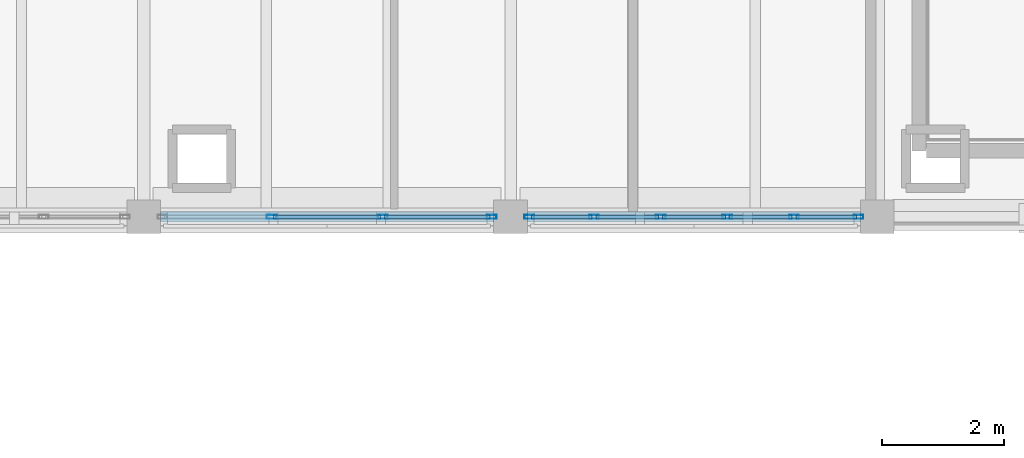
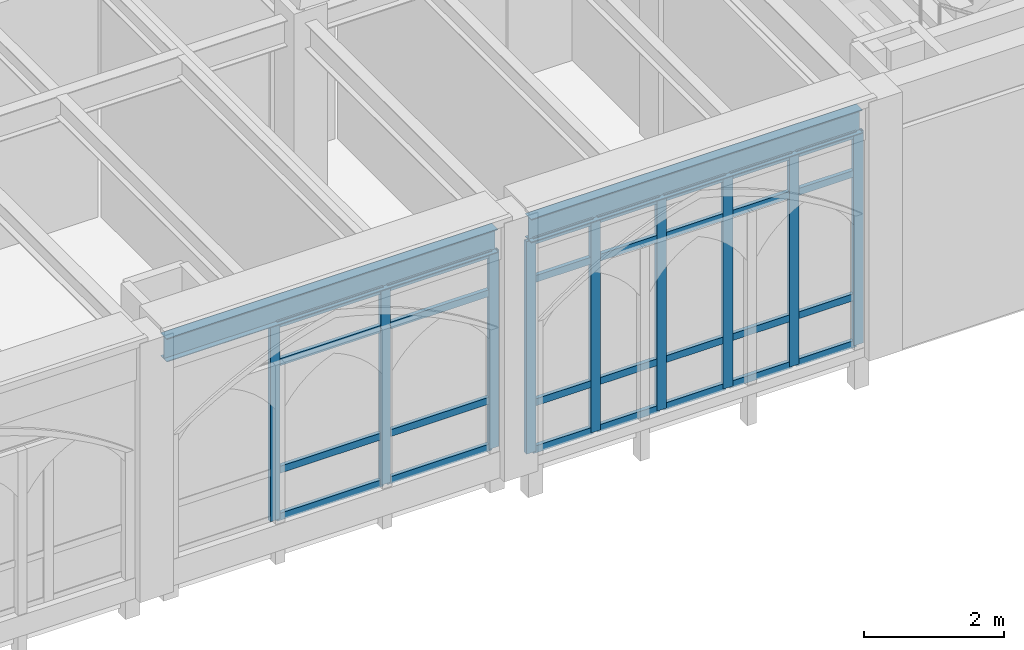
# One storey, part 22 of 108: 37 members, 2 beams, 2 elements without a shape of their own.
"""IFC4 building model written with IfcOpenShell, lengths in metres."""

from ifc_helpers import new_model, si_unit, direction, frame, origin, origin_2d, place, context, subcontext, project, spatial, hollow_rectangle, i_section, extrude, material, layer, layer_set, material_profile, profile_set, type_object, element, aggregate, save


model = new_model("IFC4")

# Units and contexts
model_context = context("Model", 3, precision=1e-05, world=origin(), true_north=direction((0.0, 1.0)))
body_context = subcontext(model_context, "Body", "Model", "MODEL_VIEW")
ifc_project = project(units=[si_unit("LENGTHUNIT", "METRE"), si_unit("AREAUNIT", "SQUARE_METRE"), si_unit("VOLUMEUNIT", "CUBIC_METRE"), si_unit("PLANEANGLEUNIT", "RADIAN"), si_unit("MASSUNIT", "GRAM", prefix="KILO")], contexts=[model_context])

# Site, building, storey
site_placement = place(None, origin())
site = spatial("IfcSite", under=ifc_project, at=site_placement, CompositionType="ELEMENT")
building_placement = place(site_placement, origin())
building = spatial("IfcBuilding", under=site, at=building_placement, Name="Cumevento Cable Car Station", CompositionType="ELEMENT")
storey_placement = place(building_placement, frame((0.0, 0.0, 13.5)))
storey = spatial("IfcBuildingStorey", under=building, at=storey_placement, Name="L04", CompositionType="ELEMENT", Elevation=13.5)

# Curtain wall, members
ifc_material_1 = material(Name="Anodised Bronze Aluminium AW-6063-T6", Category="aluminium")
ifc_layer_1 = layer(ifc_material_1, 0.243896484375)
ifc_layer_set_1 = layer_set([ifc_layer_1], Name="Anodised Bronze Aluminium AW-6063-T6")
curtain_wall_type_1 = type_object("IfcCurtainWallType", Name="Lancet Curtain Wall CW-15 1610", PredefinedType="NOTDEFINED", material=ifc_layer_set_1)
curtain_wall_1_placement = place(storey_placement, origin())
curtain_wall_1 = element("IfcCurtainWall", 1, at=curtain_wall_1_placement, inside=storey, type_object=curtain_wall_type_1, Name="Lancet Curtain Wall CW-15 L04 #158", PredefinedType="NOTDEFINED")
ifc_material_2 = material(Name="Anodised Bronze Aluminium AW-6063-T6", Category="aluminium")
ifc_material_profile_1 = material_profile(ifc_material_2, hollow_rectangle(XDim=0.06494140625, YDim=0.159912109375, WallThickness=0.00390625, at=origin_2d()), Name="ALUM65x160x4")
ifc_profile_set_1 = profile_set([ifc_material_profile_1], Name="Anodised Bronze Aluminium AW-6063-T6")
member_type_1 = type_object("IfcMemberType", Name="Curtain Mullion CWM-01 ALUM65x160x4", PredefinedType="MULLION", material=ifc_profile_set_1)
member_1_placement = place(storey_placement, frame((45.6923828125, 45.0, 0.4599609375), z_axis=(0.0, 0.0, 1.0), x_axis=(0.0, -1.0, 0.0)))
member_1 = element("IfcMember", 2, at=member_1_placement, type_object=member_type_1, Name="CW-15 mullion 1", PredefinedType="MULLION", context=body_context, shape_type="SweptSolid", body=[
    extrude(hollow_rectangle(XDim=0.06494140625, YDim=0.159912109375, WallThickness=0.00390625, at=origin_2d()), origin(), (0.0, 0.0, 1.0), 3.421142578125),
])
member_2_placement = place(storey_placement, frame((43.908447265625, 45.0, 0.4599609375), z_axis=(0.0, 0.0, 1.0), x_axis=(0.0, -1.0, 0.0)))
member_2 = element("IfcMember", 3, at=member_2_placement, type_object=member_type_1, Name="CW-15 mullion 2", PredefinedType="MULLION", context=body_context, shape_type="SweptSolid", body=[
    extrude(hollow_rectangle(XDim=0.06494140625, YDim=0.159912109375, WallThickness=0.00390625, at=origin_2d()), origin(), (0.0, 0.0, 1.0), 3.421142578125),
])
member_3_placement = place(storey_placement, frame((42.091552734375, 45.0, 0.4599609375), z_axis=(0.0, 0.0, 1.0), x_axis=(0.0, -1.0, 0.0)))
member_3 = element("IfcMember", 4, at=member_3_placement, type_object=member_type_1, Name="CW-15 mullion 3", PredefinedType="MULLION", context=body_context, shape_type="SweptSolid", body=[
    extrude(hollow_rectangle(XDim=0.06494140625, YDim=0.159912109375, WallThickness=0.00390625, at=origin_2d()), origin(), (0.0, 0.0, 1.0), 3.421142578125),
])

ifc_material_3 = material(Name="Anodised Bronze Aluminium AW-6063-T6", Category="aluminium")
ifc_layer_2 = layer(ifc_material_3, 0.159912109375)
ifc_layer_set_2 = layer_set([ifc_layer_2], Name="Anodised Bronze Aluminium AW-6063-T6")
curtain_wall_type_2 = type_object("IfcCurtainWallType", Name="Lancet Curtain Wall CW-01 1050", PredefinedType="NOTDEFINED", material=ifc_layer_set_2)
curtain_wall_2_placement = place(storey_placement, origin())
curtain_wall_2 = element("IfcCurtainWall", 5, at=curtain_wall_2_placement, inside=storey, type_object=curtain_wall_type_2, Name="Lancet Curtain Wall CW-01 L04 #160", PredefinedType="NOTDEFINED")
member_4_placement = place(storey_placement, frame((51.6923828125, 45.0, 0.159912109375), z_axis=(0.0, 0.0, 1.0), x_axis=(0.0, -1.0, 0.0)))
member_4 = element("IfcMember", 6, at=member_4_placement, type_object=member_type_1, Name="CW-01 mullion 1", PredefinedType="MULLION", context=body_context, shape_type="SweptSolid", body=[
    extrude(hollow_rectangle(XDim=0.06494140625, YDim=0.159912109375, WallThickness=0.00390625, at=origin_2d()), origin(), (0.0, 0.0, 1.0), 3.697021484375),
])
member_5_placement = place(storey_placement, frame((50.635009765625, 45.0, 0.159912109375), z_axis=(0.0, 0.0, 1.0), x_axis=(0.0, -1.0, 0.0)))
member_5 = element("IfcMember", 7, at=member_5_placement, type_object=member_type_1, Name="CW-01 mullion 2", PredefinedType="MULLION", context=body_context, shape_type="SweptSolid", body=[
    extrude(hollow_rectangle(XDim=0.06494140625, YDim=0.159912109375, WallThickness=0.00390625, at=origin_2d()), origin(), (0.0, 0.0, 1.0), 3.697021484375),
])
member_6_placement = place(storey_placement, frame((49.544921875, 45.0, 0.159912109375), z_axis=(0.0, 0.0, 1.0), x_axis=(0.0, -1.0, 0.0)))
member_6 = element("IfcMember", 8, at=member_6_placement, type_object=member_type_1, Name="CW-01 mullion 3", PredefinedType="MULLION", context=body_context, shape_type="SweptSolid", body=[
    extrude(hollow_rectangle(XDim=0.06494140625, YDim=0.159912109375, WallThickness=0.00390625, at=origin_2d()), origin(), (0.0, 0.0, 1.0), 3.697021484375),
])
member_7_placement = place(storey_placement, frame((48.455078125, 45.0, 0.159912109375), z_axis=(0.0, 0.0, 1.0), x_axis=(0.0, -1.0, 0.0)))
member_7 = element("IfcMember", 9, at=member_7_placement, type_object=member_type_1, Name="CW-01 mullion 4", PredefinedType="MULLION", context=body_context, shape_type="SweptSolid", body=[
    extrude(hollow_rectangle(XDim=0.06494140625, YDim=0.159912109375, WallThickness=0.00390625, at=origin_2d()), origin(), (0.0, 0.0, 1.0), 3.697021484375),
])
member_8_placement = place(storey_placement, frame((47.364990234375, 45.0, 0.159912109375), z_axis=(0.0, 0.0, 1.0), x_axis=(0.0, -1.0, 0.0)))
member_8 = element("IfcMember", 10, at=member_8_placement, type_object=member_type_1, Name="CW-01 mullion 5", PredefinedType="MULLION", context=body_context, shape_type="SweptSolid", body=[
    extrude(hollow_rectangle(XDim=0.06494140625, YDim=0.159912109375, WallThickness=0.00390625, at=origin_2d()), origin(), (0.0, 0.0, 1.0), 3.697021484375),
])
member_9_placement = place(storey_placement, frame((46.3076171875, 45.0, 0.159912109375), z_axis=(0.0, 0.0, 1.0), x_axis=(0.0, -1.0, 0.0)))
member_9 = element("IfcMember", 11, at=member_9_placement, type_object=member_type_1, Name="CW-01 mullion 6", PredefinedType="MULLION", context=body_context, shape_type="SweptSolid", body=[
    extrude(hollow_rectangle(XDim=0.06494140625, YDim=0.159912109375, WallThickness=0.00390625, at=origin_2d()), origin(), (0.0, 0.0, 1.0), 3.697021484375),
])

# Member
ifc_material_4 = material(Name="Anodised Bronze Aluminium AW-6063-T6", Category="aluminium")
ifc_material_profile_2 = material_profile(ifc_material_4, hollow_rectangle(XDim=0.06494140625, YDim=0.1201171875, WallThickness=0.00390625, at=origin_2d()), Name="ALUT65x120x4")
ifc_profile_set_2 = profile_set([ifc_material_profile_2], Name="Anodised Bronze Aluminium AW-6063-T6")
member_type_2 = type_object("IfcMemberType", Name="Curtain Transom CWT-01 ALUT65x120x4", PredefinedType="USERDEFINED", material=ifc_profile_set_2)
member_10_placement = place(storey_placement, frame((45.659912109375, 45.0, 0.492431640625), z_axis=(-1.0, 0.0, 0.0), x_axis=(0.0, -1.0, 0.0)))
member_10 = element("IfcMember", 12, at=member_10_placement, type_object=member_type_2, Name="CW-15 transom 1.1", ObjectType="TRANSOM", PredefinedType="USERDEFINED", context=body_context, shape_type="SweptSolid", body=[
    extrude(hollow_rectangle(XDim=0.06494140625, YDim=0.1201171875, WallThickness=0.00390625, at=origin_2d()), origin(), (0.0, 0.0, 1.0), 1.718994140625),
])

member_11_placement = place(storey_placement, frame((45.659912109375, 45.0, 1.31005859375), z_axis=(-1.0, 0.0, 0.0), x_axis=(0.0, -1.0, 0.0)))
member_11 = element("IfcMember", 13, at=member_11_placement, type_object=member_type_2, Name="CW-15 transom 1.2", ObjectType="TRANSOM", PredefinedType="USERDEFINED", context=body_context, shape_type="SweptSolid", body=[
    extrude(hollow_rectangle(XDim=0.06494140625, YDim=0.1201171875, WallThickness=0.00390625, at=origin_2d()), origin(), (0.0, 0.0, 1.0), 1.718994140625),
])

member_12_placement = place(storey_placement, frame((45.659912109375, 45.0, 3.180908203125), z_axis=(-1.0, 0.0, 0.0), x_axis=(0.0, -1.0, 0.0)))
member_12 = element("IfcMember", 14, at=member_12_placement, type_object=member_type_2, Name="CW-15 transom 1.3", ObjectType="TRANSOM", PredefinedType="USERDEFINED", context=body_context, shape_type="SweptSolid", body=[
    extrude(hollow_rectangle(XDim=0.06494140625, YDim=0.1201171875, WallThickness=0.00390625, at=origin_2d()), origin(), (0.0, 0.0, 1.0), 1.718994140625),
])

member_13_placement = place(storey_placement, frame((45.659912109375, 45.0, 3.848388671875), z_axis=(-1.0, 0.0, 0.0), x_axis=(0.0, -1.0, 0.0)))
member_13 = element("IfcMember", 15, at=member_13_placement, type_object=member_type_2, Name="CW-15 transom 1.4", ObjectType="TRANSOM", PredefinedType="USERDEFINED", context=body_context, shape_type="SweptSolid", body=[
    extrude(hollow_rectangle(XDim=0.06494140625, YDim=0.1201171875, WallThickness=0.00390625, at=origin_2d()), origin(), (0.0, 0.0, 1.0), 1.718994140625),
])

member_14_placement = place(storey_placement, frame((43.875732421875, 45.0, 0.492431640625), z_axis=(-1.0, 0.0, 0.0), x_axis=(0.0, -1.0, 0.0)))
member_14 = element("IfcMember", 16, at=member_14_placement, type_object=member_type_2, Name="CW-15 transom 2.1", ObjectType="TRANSOM", PredefinedType="USERDEFINED", context=body_context, shape_type="SweptSolid", body=[
    extrude(hollow_rectangle(XDim=0.06494140625, YDim=0.1201171875, WallThickness=0.00390625, at=origin_2d()), origin(), (0.0, 0.0, 1.0), 1.75146484375),
])

member_15_placement = place(storey_placement, frame((43.875732421875, 45.0, 1.31005859375), z_axis=(-1.0, 0.0, 0.0), x_axis=(0.0, -1.0, 0.0)))
member_15 = element("IfcMember", 17, at=member_15_placement, type_object=member_type_2, Name="CW-15 transom 2.2", ObjectType="TRANSOM", PredefinedType="USERDEFINED", context=body_context, shape_type="SweptSolid", body=[
    extrude(hollow_rectangle(XDim=0.06494140625, YDim=0.1201171875, WallThickness=0.00390625, at=origin_2d()), origin(), (0.0, 0.0, 1.0), 1.75146484375),
])

member_16_placement = place(storey_placement, frame((43.875732421875, 45.0, 3.180908203125), z_axis=(-1.0, 0.0, 0.0), x_axis=(0.0, -1.0, 0.0)))
member_16 = element("IfcMember", 18, at=member_16_placement, type_object=member_type_2, Name="CW-15 transom 2.3", ObjectType="TRANSOM", PredefinedType="USERDEFINED", context=body_context, shape_type="SweptSolid", body=[
    extrude(hollow_rectangle(XDim=0.06494140625, YDim=0.1201171875, WallThickness=0.00390625, at=origin_2d()), origin(), (0.0, 0.0, 1.0), 1.75146484375),
])

member_17_placement = place(storey_placement, frame((43.875732421875, 45.0, 3.848388671875), z_axis=(-1.0, 0.0, 0.0), x_axis=(0.0, -1.0, 0.0)))
member_17 = element("IfcMember", 19, at=member_17_placement, type_object=member_type_2, Name="CW-15 transom 2.4", ObjectType="TRANSOM", PredefinedType="USERDEFINED", context=body_context, shape_type="SweptSolid", body=[
    extrude(hollow_rectangle(XDim=0.06494140625, YDim=0.1201171875, WallThickness=0.00390625, at=origin_2d()), origin(), (0.0, 0.0, 1.0), 1.75146484375),
])

aggregate(curtain_wall_1, [member_1, member_2, member_3, member_10, member_11, member_12, member_13, member_14, member_15, member_16, member_17])

member_18_placement = place(storey_placement, frame((51.659912109375, 45.0, 0.1923828125), z_axis=(-1.0, 0.0, 0.0), x_axis=(0.0, -1.0, 0.0)))
member_18 = element("IfcMember", 20, at=member_18_placement, type_object=member_type_2, Name="CW-01 transom 1.1", ObjectType="TRANSOM", PredefinedType="USERDEFINED", context=body_context, shape_type="SweptSolid", body=[
    extrude(hollow_rectangle(XDim=0.06494140625, YDim=0.1201171875, WallThickness=0.00390625, at=origin_2d()), origin(), (0.0, 0.0, 1.0), 0.992431640625),
])

member_19_placement = place(storey_placement, frame((51.659912109375, 45.0, 1.010009765625), z_axis=(-1.0, 0.0, 0.0), x_axis=(0.0, -1.0, 0.0)))
member_19 = element("IfcMember", 21, at=member_19_placement, type_object=member_type_2, Name="CW-01 transom 1.2", ObjectType="TRANSOM", PredefinedType="USERDEFINED", context=body_context, shape_type="SweptSolid", body=[
    extrude(hollow_rectangle(XDim=0.06494140625, YDim=0.1201171875, WallThickness=0.00390625, at=origin_2d()), origin(), (0.0, 0.0, 1.0), 0.992431640625),
])

member_20_placement = place(storey_placement, frame((51.659912109375, 45.0, 3.156982421875), z_axis=(-1.0, 0.0, 0.0), x_axis=(0.0, -1.0, 0.0)))
member_20 = element("IfcMember", 22, at=member_20_placement, type_object=member_type_2, Name="CW-01 transom 1.3", ObjectType="TRANSOM", PredefinedType="USERDEFINED", context=body_context, shape_type="SweptSolid", body=[
    extrude(hollow_rectangle(XDim=0.06494140625, YDim=0.1201171875, WallThickness=0.00390625, at=origin_2d()), origin(), (0.0, 0.0, 1.0), 0.992431640625),
])

member_21_placement = place(storey_placement, frame((51.659912109375, 45.0, 3.824462890625), z_axis=(-1.0, 0.0, 0.0), x_axis=(0.0, -1.0, 0.0)))
member_21 = element("IfcMember", 23, at=member_21_placement, type_object=member_type_2, Name="CW-01 transom 1.4", ObjectType="TRANSOM", PredefinedType="USERDEFINED", context=body_context, shape_type="SweptSolid", body=[
    extrude(hollow_rectangle(XDim=0.06494140625, YDim=0.1201171875, WallThickness=0.00390625, at=origin_2d()), origin(), (0.0, 0.0, 1.0), 0.992431640625),
])

member_22_placement = place(storey_placement, frame((50.6025390625, 45.0, 0.1923828125), z_axis=(-1.0, 0.0, 0.0), x_axis=(0.0, -1.0, 0.0)))
member_22 = element("IfcMember", 24, at=member_22_placement, type_object=member_type_2, Name="CW-01 transom 2.1", ObjectType="TRANSOM", PredefinedType="USERDEFINED", context=body_context, shape_type="SweptSolid", body=[
    extrude(hollow_rectangle(XDim=0.06494140625, YDim=0.1201171875, WallThickness=0.00390625, at=origin_2d()), origin(), (0.0, 0.0, 1.0), 1.025146484375),
])

member_23_placement = place(storey_placement, frame((50.6025390625, 45.0, 1.010009765625), z_axis=(-1.0, 0.0, 0.0), x_axis=(0.0, -1.0, 0.0)))
member_23 = element("IfcMember", 25, at=member_23_placement, type_object=member_type_2, Name="CW-01 transom 2.2", ObjectType="TRANSOM", PredefinedType="USERDEFINED", context=body_context, shape_type="SweptSolid", body=[
    extrude(hollow_rectangle(XDim=0.06494140625, YDim=0.1201171875, WallThickness=0.00390625, at=origin_2d()), origin(), (0.0, 0.0, 1.0), 1.025146484375),
])

member_24_placement = place(storey_placement, frame((50.6025390625, 45.0, 3.156982421875), z_axis=(-1.0, 0.0, 0.0), x_axis=(0.0, -1.0, 0.0)))
member_24 = element("IfcMember", 26, at=member_24_placement, type_object=member_type_2, Name="CW-01 transom 2.3", ObjectType="TRANSOM", PredefinedType="USERDEFINED", context=body_context, shape_type="SweptSolid", body=[
    extrude(hollow_rectangle(XDim=0.06494140625, YDim=0.1201171875, WallThickness=0.00390625, at=origin_2d()), origin(), (0.0, 0.0, 1.0), 1.025146484375),
])

member_25_placement = place(storey_placement, frame((50.6025390625, 45.0, 3.824462890625), z_axis=(-1.0, 0.0, 0.0), x_axis=(0.0, -1.0, 0.0)))
member_25 = element("IfcMember", 27, at=member_25_placement, type_object=member_type_2, Name="CW-01 transom 2.4", ObjectType="TRANSOM", PredefinedType="USERDEFINED", context=body_context, shape_type="SweptSolid", body=[
    extrude(hollow_rectangle(XDim=0.06494140625, YDim=0.1201171875, WallThickness=0.00390625, at=origin_2d()), origin(), (0.0, 0.0, 1.0), 1.025146484375),
])

member_26_placement = place(storey_placement, frame((49.512451171875, 45.0, 0.1923828125), z_axis=(-1.0, 0.0, 0.0), x_axis=(0.0, -1.0, 0.0)))
member_26 = element("IfcMember", 28, at=member_26_placement, type_object=member_type_2, Name="CW-01 transom 3.1", ObjectType="TRANSOM", PredefinedType="USERDEFINED", context=body_context, shape_type="SweptSolid", body=[
    extrude(hollow_rectangle(XDim=0.06494140625, YDim=0.1201171875, WallThickness=0.00390625, at=origin_2d()), origin(), (0.0, 0.0, 1.0), 1.02490234375),
])

member_27_placement = place(storey_placement, frame((49.512451171875, 45.0, 1.010009765625), z_axis=(-1.0, 0.0, 0.0), x_axis=(0.0, -1.0, 0.0)))
member_27 = element("IfcMember", 29, at=member_27_placement, type_object=member_type_2, Name="CW-01 transom 3.2", ObjectType="TRANSOM", PredefinedType="USERDEFINED", context=body_context, shape_type="SweptSolid", body=[
    extrude(hollow_rectangle(XDim=0.06494140625, YDim=0.1201171875, WallThickness=0.00390625, at=origin_2d()), origin(), (0.0, 0.0, 1.0), 1.02490234375),
])

member_28_placement = place(storey_placement, frame((49.512451171875, 45.0, 3.156982421875), z_axis=(-1.0, 0.0, 0.0), x_axis=(0.0, -1.0, 0.0)))
member_28 = element("IfcMember", 30, at=member_28_placement, type_object=member_type_2, Name="CW-01 transom 3.3", ObjectType="TRANSOM", PredefinedType="USERDEFINED", context=body_context, shape_type="SweptSolid", body=[
    extrude(hollow_rectangle(XDim=0.06494140625, YDim=0.1201171875, WallThickness=0.00390625, at=origin_2d()), origin(), (0.0, 0.0, 1.0), 1.02490234375),
])

member_29_placement = place(storey_placement, frame((49.512451171875, 45.0, 3.824462890625), z_axis=(-1.0, 0.0, 0.0), x_axis=(0.0, -1.0, 0.0)))
member_29 = element("IfcMember", 31, at=member_29_placement, type_object=member_type_2, Name="CW-01 transom 3.4", ObjectType="TRANSOM", PredefinedType="USERDEFINED", context=body_context, shape_type="SweptSolid", body=[
    extrude(hollow_rectangle(XDim=0.06494140625, YDim=0.1201171875, WallThickness=0.00390625, at=origin_2d()), origin(), (0.0, 0.0, 1.0), 1.02490234375),
])

member_30_placement = place(storey_placement, frame((48.422607421875, 45.0, 0.1923828125), z_axis=(-1.0, 0.0, 0.0), x_axis=(0.0, -1.0, 0.0)))
member_30 = element("IfcMember", 32, at=member_30_placement, type_object=member_type_2, Name="CW-01 transom 4.1", ObjectType="TRANSOM", PredefinedType="USERDEFINED", context=body_context, shape_type="SweptSolid", body=[
    extrude(hollow_rectangle(XDim=0.06494140625, YDim=0.1201171875, WallThickness=0.00390625, at=origin_2d()), origin(), (0.0, 0.0, 1.0), 1.025146484375),
])

member_31_placement = place(storey_placement, frame((48.422607421875, 45.0, 1.010009765625), z_axis=(-1.0, 0.0, 0.0), x_axis=(0.0, -1.0, 0.0)))
member_31 = element("IfcMember", 33, at=member_31_placement, type_object=member_type_2, Name="CW-01 transom 4.2", ObjectType="TRANSOM", PredefinedType="USERDEFINED", context=body_context, shape_type="SweptSolid", body=[
    extrude(hollow_rectangle(XDim=0.06494140625, YDim=0.1201171875, WallThickness=0.00390625, at=origin_2d()), origin(), (0.0, 0.0, 1.0), 1.025146484375),
])

member_32_placement = place(storey_placement, frame((48.422607421875, 45.0, 3.156982421875), z_axis=(-1.0, 0.0, 0.0), x_axis=(0.0, -1.0, 0.0)))
member_32 = element("IfcMember", 34, at=member_32_placement, type_object=member_type_2, Name="CW-01 transom 4.3", ObjectType="TRANSOM", PredefinedType="USERDEFINED", context=body_context, shape_type="SweptSolid", body=[
    extrude(hollow_rectangle(XDim=0.06494140625, YDim=0.1201171875, WallThickness=0.00390625, at=origin_2d()), origin(), (0.0, 0.0, 1.0), 1.025146484375),
])

member_33_placement = place(storey_placement, frame((48.422607421875, 45.0, 3.824462890625), z_axis=(-1.0, 0.0, 0.0), x_axis=(0.0, -1.0, 0.0)))
member_33 = element("IfcMember", 35, at=member_33_placement, type_object=member_type_2, Name="CW-01 transom 4.4", ObjectType="TRANSOM", PredefinedType="USERDEFINED", context=body_context, shape_type="SweptSolid", body=[
    extrude(hollow_rectangle(XDim=0.06494140625, YDim=0.1201171875, WallThickness=0.00390625, at=origin_2d()), origin(), (0.0, 0.0, 1.0), 1.025146484375),
])

member_34_placement = place(storey_placement, frame((47.33251953125, 45.0, 0.1923828125), z_axis=(-1.0, 0.0, 0.0), x_axis=(0.0, -1.0, 0.0)))
member_34 = element("IfcMember", 36, at=member_34_placement, type_object=member_type_2, Name="CW-01 transom 5.1", ObjectType="TRANSOM", PredefinedType="USERDEFINED", context=body_context, shape_type="SweptSolid", body=[
    extrude(hollow_rectangle(XDim=0.06494140625, YDim=0.1201171875, WallThickness=0.00390625, at=origin_2d()), origin(), (0.0, 0.0, 1.0), 0.992431640625),
])

member_35_placement = place(storey_placement, frame((47.33251953125, 45.0, 1.010009765625), z_axis=(-1.0, 0.0, 0.0), x_axis=(0.0, -1.0, 0.0)))
member_35 = element("IfcMember", 37, at=member_35_placement, type_object=member_type_2, Name="CW-01 transom 5.2", ObjectType="TRANSOM", PredefinedType="USERDEFINED", context=body_context, shape_type="SweptSolid", body=[
    extrude(hollow_rectangle(XDim=0.06494140625, YDim=0.1201171875, WallThickness=0.00390625, at=origin_2d()), origin(), (0.0, 0.0, 1.0), 0.992431640625),
])

member_36_placement = place(storey_placement, frame((47.33251953125, 45.0, 3.156982421875), z_axis=(-1.0, 0.0, 0.0), x_axis=(0.0, -1.0, 0.0)))
member_36 = element("IfcMember", 38, at=member_36_placement, type_object=member_type_2, Name="CW-01 transom 5.3", ObjectType="TRANSOM", PredefinedType="USERDEFINED", context=body_context, shape_type="SweptSolid", body=[
    extrude(hollow_rectangle(XDim=0.06494140625, YDim=0.1201171875, WallThickness=0.00390625, at=origin_2d()), origin(), (0.0, 0.0, 1.0), 0.992431640625),
])

member_37_placement = place(storey_placement, frame((47.33251953125, 45.0, 3.824462890625), z_axis=(-1.0, 0.0, 0.0), x_axis=(0.0, -1.0, 0.0)))
member_37 = element("IfcMember", 39, at=member_37_placement, type_object=member_type_2, Name="CW-01 transom 5.4", ObjectType="TRANSOM", PredefinedType="USERDEFINED", context=body_context, shape_type="SweptSolid", body=[
    extrude(hollow_rectangle(XDim=0.06494140625, YDim=0.1201171875, WallThickness=0.00390625, at=origin_2d()), origin(), (0.0, 0.0, 1.0), 0.992431640625),
])

aggregate(curtain_wall_2, [member_4, member_5, member_6, member_7, member_8, member_9, member_18, member_19, member_20, member_21, member_22, member_23, member_24, member_25, member_26, member_27, member_28, member_29, member_30, member_31, member_32, member_33, member_34, member_35, member_36, member_37])

# Beams
ifc_material_5 = material(Name="Steel ASTM A572 Grade 50", Category="steel")
ifc_material_profile_3 = material_profile(ifc_material_5, i_section(OverallWidth=0.177978515625, OverallDepth=0.406982421875, WebThickness=0.0078125, FlangeThickness=0.0126953125, at=origin_2d()), Name="W410x60.0")
ifc_profile_set_3 = profile_set([ifc_material_profile_3], Name="Steel ASTM A572 Grade 50")
beam_type = type_object("IfcBeamType", Name="Structural Spandrel SP-01 W410x60.0", PredefinedType="SPANDREL", material=ifc_profile_set_3)
for number, where, z_axis, x_axis, name in (
    (40, (40.27490234375, 45.0, 4.08447265625), (1.0, 0.0, 0.0), (0.0, 1.0, 0.0), "Beam SP-01 L04 #1380"),
    (41, (46.27490234375, 45.0, 4.060546875), (1.0, 0.0, 0.0), (0.0, 1.0, 0.0), "Beam SP-01 L04 #1381"),
):
    element("IfcBeam", number, at=place(storey_placement, frame(where, z_axis=z_axis, x_axis=x_axis)), inside=storey, type_object=beam_type, Name=name, PredefinedType="SPANDREL", context=body_context, shape_type="SweptSolid", body=[
        extrude(i_section(OverallWidth=0.177978515625, OverallDepth=0.406982421875, WebThickness=0.0078125, FlangeThickness=0.0126953125, at=origin_2d()), origin(), (0.0, 0.0, 1.0), 5.4501953125),
    ])

save(model, "model.ifc")
